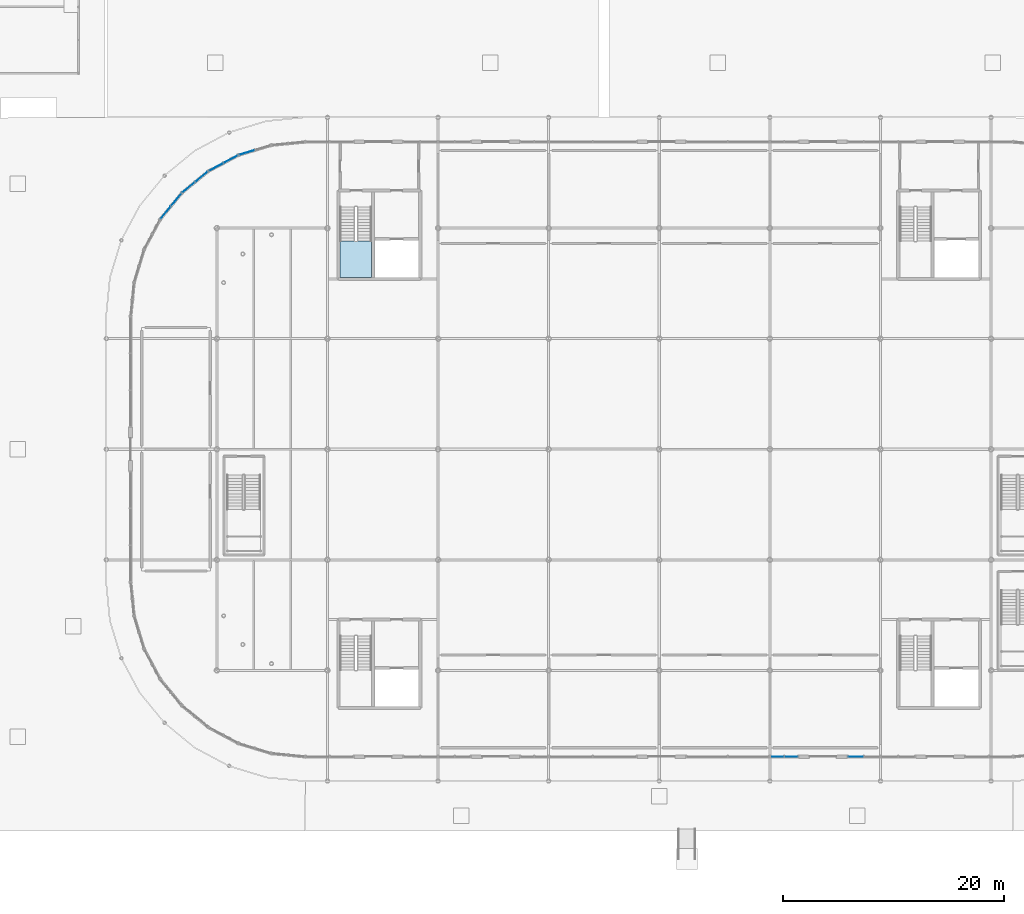
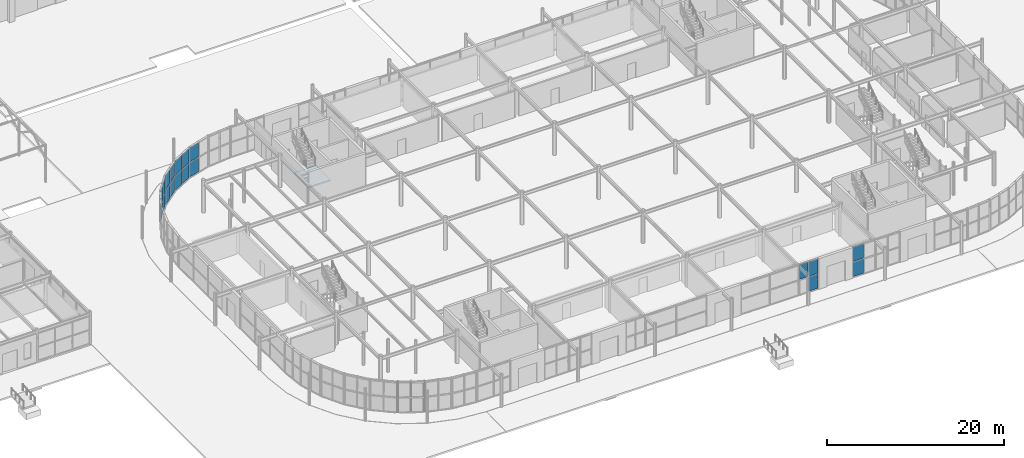
# One storey, part 75 of 119: 19 plates, 1 slab, 7 elements without a shape of their own.
"""IFC4 building model written with IfcOpenShell, lengths in metres."""

from ifc_helpers import new_model, si_unit, derived_unit, direction, frame, origin, origin_2d_with_axis, place, context, subcontext, project, spatial, polyline, rectangle, outline, extrude, material, layer, layer_set, type_object, element, aggregate, save


model = new_model("IFC4")

# Units and contexts
model_context = context("Model", 3, precision=1e-05, world=origin(), true_north=direction((0.0, 1.0)))
body_context = subcontext(model_context, "Body", "Model", "MODEL_VIEW")
ifc_project = project(units=[si_unit("LENGTHUNIT", "METRE"), si_unit("AREAUNIT", "SQUARE_METRE"), si_unit("VOLUMEUNIT", "CUBIC_METRE"), si_unit("PLANEANGLEUNIT", "RADIAN"), si_unit("MASSUNIT", "GRAM", prefix="KILO"), derived_unit("THERMALTRANSMITTANCEUNIT", [(si_unit("POWERUNIT", "WATT"), 1), (si_unit("LENGTHUNIT", "METRE"), -2), (si_unit("THERMODYNAMICTEMPERATUREUNIT", "KELVIN"), -1)])], contexts=[model_context])

# Site, building, storey
site_placement = place(None, origin())
site = spatial("IfcSite", under=ifc_project, at=site_placement, CompositionType="ELEMENT")
building_placement = place(site_placement, origin())
building = spatial("IfcBuilding", under=site, at=building_placement, Name="Cinnabar Yard Market Hall", CompositionType="ELEMENT")
storey_placement = place(building_placement, origin())
storey = spatial("IfcBuildingStorey", under=building, at=storey_placement, Name="L00", CompositionType="ELEMENT", Elevation=0.0)

# Curtain wall, plates
ifc_material_1 = material(Name="Anodised bronze aluminium and low-E glass", Category="aluminium")
curtain_wall_type_1 = type_object("IfcCurtainWallType", Name="CW-CWH026x42", PredefinedType="NOTDEFINED", material=ifc_material_1)
curtain_wall_1_placement = place(storey_placement, origin())
curtain_wall_1 = element("IfcCurtainWall", 1, at=curtain_wall_1_placement, inside=storey, type_object=curtain_wall_type_1, Name="Market Hall South Ground Glazing B5A", PredefinedType="NOTDEFINED")
ifc_material_2 = material(Name="Low-E laminated glass", Category="glass")
ifc_layer_1 = layer(ifc_material_2, 0.031982421875)
ifc_layer_set_1 = layer_set([ifc_layer_1], Name="Low-E laminated glass")
plate_type_1 = type_object("IfcPlateType", Name="CWP-GP118x200", PredefinedType="CURTAIN_PANEL", material=ifc_layer_set_1)
plate_1_placement = place(storey_placement, frame((126.669921875, 16.199951171875, 2.159912109375), z_axis=(0.0, 0.0, 1.0), x_axis=(1.0, 0.0, 0.0)))
plate_1 = element("IfcPlate", 2, at=plate_1_placement, type_object=plate_type_1, Name="CWH026x42 panel 1.2", PredefinedType="CURTAIN_PANEL", context=body_context, shape_type="SweptSolid", body=[
    extrude(rectangle(XDim=1.179931640625, YDim=0.031982421875, at=origin_2d_with_axis()), origin(), (0.0, 0.0, 1.0), 2.0),
])
plate_2_placement = place(storey_placement, frame((127.929931640625, 16.199951171875, 0.080078125), z_axis=(0.0, 0.0, 1.0), x_axis=(1.0, 0.0, 0.0)))
plate_2 = element("IfcPlate", 3, at=plate_2_placement, type_object=plate_type_1, Name="CWH026x42 panel 2.1", PredefinedType="CURTAIN_PANEL", context=body_context, shape_type="SweptSolid", body=[
    extrude(rectangle(XDim=1.179931640625, YDim=0.031982421875, at=origin_2d_with_axis()), origin(), (0.0, 0.0, 1.0), 2.0),
])
plate_3_placement = place(storey_placement, frame((127.929931640625, 16.199951171875, 2.159912109375), z_axis=(0.0, 0.0, 1.0), x_axis=(1.0, 0.0, 0.0)))
plate_3 = element("IfcPlate", 4, at=plate_3_placement, type_object=plate_type_1, Name="CWH026x42 panel 2.2", PredefinedType="CURTAIN_PANEL", context=body_context, shape_type="SweptSolid", body=[
    extrude(rectangle(XDim=1.179931640625, YDim=0.031982421875, at=origin_2d_with_axis()), origin(), (0.0, 0.0, 1.0), 2.0),
])
aggregate(curtain_wall_1, [plate_1, plate_2, plate_3])

curtain_wall_type_2 = type_object("IfcCurtainWallType", Name="CW-CWH030x42", PredefinedType="NOTDEFINED", material=ifc_material_1)
curtain_wall_2_placement = place(storey_placement, origin())
curtain_wall_2 = element("IfcCurtainWall", 5, at=curtain_wall_2_placement, inside=storey, type_object=curtain_wall_type_2, Name="Market Hall South Ground Glazing B5B", PredefinedType="NOTDEFINED")
ifc_layer_2 = layer(ifc_material_2, 0.031982421875)
ifc_layer_set_2 = layer_set([ifc_layer_2], Name="Low-E laminated glass")
plate_type_2 = type_object("IfcPlateType", Name="CWP-GP138x200", PredefinedType="CURTAIN_PANEL", material=ifc_layer_set_2)
plate_4_placement = place(storey_placement, frame((133.77001953125, 16.199951171875, 0.080078125), z_axis=(0.0, 0.0, 1.0), x_axis=(1.0, 0.0, 0.0)))
plate_4 = element("IfcPlate", 6, at=plate_4_placement, type_object=plate_type_2, Name="CWH030x42 panel 1.1", PredefinedType="CURTAIN_PANEL", context=body_context, shape_type="SweptSolid", body=[
    extrude(rectangle(XDim=1.3798828125, YDim=0.031982421875, at=origin_2d_with_axis()), origin(), (0.0, 0.0, 1.0), 2.0),
])
plate_5_placement = place(storey_placement, frame((133.77001953125, 16.199951171875, 2.159912109375), z_axis=(0.0, 0.0, 1.0), x_axis=(1.0, 0.0, 0.0)))
plate_5 = element("IfcPlate", 7, at=plate_5_placement, type_object=plate_type_2, Name="CWH030x42 panel 1.2", PredefinedType="CURTAIN_PANEL", context=body_context, shape_type="SweptSolid", body=[
    extrude(rectangle(XDim=1.3798828125, YDim=0.031982421875, at=origin_2d_with_axis()), origin(), (0.0, 0.0, 1.0), 2.0),
])
aggregate(curtain_wall_2, [plate_4, plate_5])

ifc_material_3 = material(Name="Anodised bronze aluminium curved-chord facade", Category="aluminium")
curtain_wall_type_3 = type_object("IfcCurtainWallType", Name="CW-CWC031x42", PredefinedType="NOTDEFINED", material=ifc_material_3)
curtain_wall_3_placement = place(storey_placement, origin())
curtain_wall_3 = element("IfcCurtainWall", 8, at=curtain_wall_3_placement, inside=storey, type_object=curtain_wall_type_3, Name="Corner NW Chord 2 L00", PredefinedType="NOTDEFINED")
ifc_layer_3 = layer(ifc_material_2, 0.031982421875)
ifc_layer_set_3 = layer_set([ifc_layer_3], Name="Low-E laminated glass")
plate_type_3 = type_object("IfcPlateType", Name="CWP-GP141x199", PredefinedType="CURTAIN_PANEL", material=ifc_layer_set_3)
plate_6_placement = place(storey_placement, frame((78.716064453125, 70.82861328125, 0.08984375), z_axis=(0.0, 0.0, 1.0), x_axis=(-0.956942090856, -0.290278891325, 0.0)))
plate_6 = element("IfcPlate", 9, at=plate_6_placement, type_object=plate_type_3, Name="CWC031x42 panel 2.1", PredefinedType="CURTAIN_PANEL", context=body_context, shape_type="SweptSolid", body=[
    extrude(rectangle(XDim=1.41357421875, YDim=0.031982421875, at=origin_2d_with_axis()), origin(), (0.0, 0.0, 1.0), 1.985107421875),
])
plate_7_placement = place(storey_placement, frame((78.716064453125, 70.82861328125, 2.1650390625), z_axis=(0.0, 0.0, 1.0), x_axis=(-0.956942090856, -0.290278891325, 0.0)))
plate_7 = element("IfcPlate", 10, at=plate_7_placement, type_object=plate_type_3, Name="CWC031x42 panel 2.2", PredefinedType="CURTAIN_PANEL", context=body_context, shape_type="SweptSolid", body=[
    extrude(rectangle(XDim=1.41357421875, YDim=0.031982421875, at=origin_2d_with_axis()), origin(), (0.0, 0.0, 1.0), 1.985107421875),
])
aggregate(curtain_wall_3, [plate_6, plate_7])

curtain_wall_4_placement = place(storey_placement, origin())
curtain_wall_4 = element("IfcCurtainWall", 11, at=curtain_wall_4_placement, inside=storey, type_object=curtain_wall_type_3, Name="Corner NW Chord 3 L00", PredefinedType="NOTDEFINED")
plate_8_placement = place(storey_placement, frame((77.2509765625, 70.2216796875, 0.08984375), z_axis=(0.0, 0.0, 1.0), x_axis=(-0.881917320707, -0.471404114786, 0.0)))
plate_8 = element("IfcPlate", 12, at=plate_8_placement, type_object=plate_type_3, Name="CWC031x42 panel 1.1", PredefinedType="CURTAIN_PANEL", context=body_context, shape_type="SweptSolid", body=[
    extrude(rectangle(XDim=1.41357421875, YDim=0.031982421875, at=origin_2d_with_axis()), origin(), (0.0, 0.0, 1.0), 1.985107421875),
])
plate_9_placement = place(storey_placement, frame((77.2509765625, 70.2216796875, 2.1650390625), z_axis=(0.0, 0.0, 1.0), x_axis=(-0.881917320707, -0.471404114786, 0.0)))
plate_9 = element("IfcPlate", 13, at=plate_9_placement, type_object=plate_type_3, Name="CWC031x42 panel 1.2", PredefinedType="CURTAIN_PANEL", context=body_context, shape_type="SweptSolid", body=[
    extrude(rectangle(XDim=1.41357421875, YDim=0.031982421875, at=origin_2d_with_axis()), origin(), (0.0, 0.0, 1.0), 1.985107421875),
])
plate_10_placement = place(storey_placement, frame((75.9248046875, 69.512939453125, 0.08984375), z_axis=(0.0, 0.0, 1.0), x_axis=(-0.881917320707, -0.471404114786, 0.0)))
plate_10 = element("IfcPlate", 14, at=plate_10_placement, type_object=plate_type_3, Name="CWC031x42 panel 2.1", PredefinedType="CURTAIN_PANEL", context=body_context, shape_type="SweptSolid", body=[
    extrude(rectangle(XDim=1.41357421875, YDim=0.031982421875, at=origin_2d_with_axis()), origin(), (0.0, 0.0, 1.0), 1.985107421875),
])
plate_11_placement = place(storey_placement, frame((75.9248046875, 69.512939453125, 2.1650390625), z_axis=(0.0, 0.0, 1.0), x_axis=(-0.881917320707, -0.471404114786, 0.0)))
plate_11 = element("IfcPlate", 15, at=plate_11_placement, type_object=plate_type_3, Name="CWC031x42 panel 2.2", PredefinedType="CURTAIN_PANEL", context=body_context, shape_type="SweptSolid", body=[
    extrude(rectangle(XDim=1.41357421875, YDim=0.031982421875, at=origin_2d_with_axis()), origin(), (0.0, 0.0, 1.0), 1.985107421875),
])
aggregate(curtain_wall_4, [plate_8, plate_9, plate_10, plate_11])

curtain_wall_5_placement = place(storey_placement, origin())
curtain_wall_5 = element("IfcCurtainWall", 16, at=curtain_wall_5_placement, inside=storey, type_object=curtain_wall_type_3, Name="Corner NW Chord 4 L00", PredefinedType="NOTDEFINED")
plate_12_placement = place(storey_placement, frame((74.60595703125, 68.631591796875, 0.08984375), z_axis=(0.0, 0.0, 1.0), x_axis=(-0.773018564222, -0.634383400924, 0.0)))
plate_12 = element("IfcPlate", 17, at=plate_12_placement, type_object=plate_type_3, Name="CWC031x42 panel 1.1", PredefinedType="CURTAIN_PANEL", context=body_context, shape_type="SweptSolid", body=[
    extrude(rectangle(XDim=1.41357421875, YDim=0.031982421875, at=origin_2d_with_axis()), origin(), (0.0, 0.0, 1.0), 1.985107421875),
])
plate_13_placement = place(storey_placement, frame((74.60595703125, 68.631591796875, 2.1650390625), z_axis=(0.0, 0.0, 1.0), x_axis=(-0.773018564222, -0.634383400924, 0.0)))
plate_13 = element("IfcPlate", 18, at=plate_13_placement, type_object=plate_type_3, Name="CWC031x42 panel 1.2", PredefinedType="CURTAIN_PANEL", context=body_context, shape_type="SweptSolid", body=[
    extrude(rectangle(XDim=1.41357421875, YDim=0.031982421875, at=origin_2d_with_axis()), origin(), (0.0, 0.0, 1.0), 1.985107421875),
])
plate_14_placement = place(storey_placement, frame((73.443603515625, 67.677734375, 0.08984375), z_axis=(0.0, 0.0, 1.0), x_axis=(-0.773018564222, -0.634383400924, 0.0)))
plate_14 = element("IfcPlate", 19, at=plate_14_placement, type_object=plate_type_3, Name="CWC031x42 panel 2.1", PredefinedType="CURTAIN_PANEL", context=body_context, shape_type="SweptSolid", body=[
    extrude(rectangle(XDim=1.41357421875, YDim=0.031982421875, at=origin_2d_with_axis()), origin(), (0.0, 0.0, 1.0), 1.985107421875),
])
plate_15_placement = place(storey_placement, frame((73.443603515625, 67.677734375, 2.1650390625), z_axis=(0.0, 0.0, 1.0), x_axis=(-0.773018564222, -0.634383400924, 0.0)))
plate_15 = element("IfcPlate", 20, at=plate_15_placement, type_object=plate_type_3, Name="CWC031x42 panel 2.2", PredefinedType="CURTAIN_PANEL", context=body_context, shape_type="SweptSolid", body=[
    extrude(rectangle(XDim=1.41357421875, YDim=0.031982421875, at=origin_2d_with_axis()), origin(), (0.0, 0.0, 1.0), 1.985107421875),
])
aggregate(curtain_wall_5, [plate_12, plate_13, plate_14, plate_15])

curtain_wall_6_placement = place(storey_placement, origin())
curtain_wall_6 = element("IfcCurtainWall", 21, at=curtain_wall_6_placement, inside=storey, type_object=curtain_wall_type_3, Name="Corner NW Chord 5 L00", PredefinedType="NOTDEFINED")
plate_16_placement = place(storey_placement, frame((72.322265625, 66.556396484375, 0.08984375), z_axis=(0.0, 0.0, 1.0), x_axis=(-0.634383400924, -0.773018564222, 0.0)))
plate_16 = element("IfcPlate", 22, at=plate_16_placement, type_object=plate_type_3, Name="CWC031x42 panel 1.1", PredefinedType="CURTAIN_PANEL", context=body_context, shape_type="SweptSolid", body=[
    extrude(rectangle(XDim=1.41357421875, YDim=0.031982421875, at=origin_2d_with_axis()), origin(), (0.0, 0.0, 1.0), 1.985107421875),
])
plate_17_placement = place(storey_placement, frame((72.322265625, 66.556396484375, 2.1650390625), z_axis=(0.0, 0.0, 1.0), x_axis=(-0.634383400924, -0.773018564222, 0.0)))
plate_17 = element("IfcPlate", 23, at=plate_17_placement, type_object=plate_type_3, Name="CWC031x42 panel 1.2", PredefinedType="CURTAIN_PANEL", context=body_context, shape_type="SweptSolid", body=[
    extrude(rectangle(XDim=1.41357421875, YDim=0.031982421875, at=origin_2d_with_axis()), origin(), (0.0, 0.0, 1.0), 1.985107421875),
])
plate_18_placement = place(storey_placement, frame((71.368408203125, 65.39404296875, 0.08984375), z_axis=(0.0, 0.0, 1.0), x_axis=(-0.634383400924, -0.773018564222, 0.0)))
plate_18 = element("IfcPlate", 24, at=plate_18_placement, type_object=plate_type_3, Name="CWC031x42 panel 2.1", PredefinedType="CURTAIN_PANEL", context=body_context, shape_type="SweptSolid", body=[
    extrude(rectangle(XDim=1.41357421875, YDim=0.031982421875, at=origin_2d_with_axis()), origin(), (0.0, 0.0, 1.0), 1.985107421875),
])
plate_19_placement = place(storey_placement, frame((71.368408203125, 65.39404296875, 2.1650390625), z_axis=(0.0, 0.0, 1.0), x_axis=(-0.634383400924, -0.773018564222, 0.0)))
plate_19 = element("IfcPlate", 25, at=plate_19_placement, type_object=plate_type_3, Name="CWC031x42 panel 2.2", PredefinedType="CURTAIN_PANEL", context=body_context, shape_type="SweptSolid", body=[
    extrude(rectangle(XDim=1.41357421875, YDim=0.031982421875, at=origin_2d_with_axis()), origin(), (0.0, 0.0, 1.0), 1.985107421875),
])
aggregate(curtain_wall_6, [plate_16, plate_17, plate_18, plate_19])

# Stair, slab
ifc_material_4 = material(Name="Concrete 40 MPa", Category="concrete")
stair_type = type_object("IfcStairType", Name="ST-CORE", PredefinedType="HALF_TURN_STAIR", material=ifc_material_4)
stair_placement = place(storey_placement, origin())
stair = element("IfcStair", 26, at=stair_placement, inside=storey, type_object=stair_type, Name="L00 Market Hall North-West Core Stair", PredefinedType="HALF_TURN_STAIR")
ifc_layer_4 = layer(ifc_material_4, 0.199951171875)
ifc_layer_set_4 = layer_set([ifc_layer_4], Name="Concrete 40 MPa")
slab_type = type_object("IfcSlabType", Name="SL-LAND", PredefinedType="LANDING", material=ifc_layer_set_4)
slab_placement = place(storey_placement, frame((0.0, 0.0, 2.050048828125)))
slab = element("IfcSlab", 27, at=slab_placement, type_object=slab_type, Name="ST-C3 landing 1", PredefinedType="LANDING", context=body_context, shape_type="SweptSolid", body=[
    extrude(outline(polyline([(87.139892578125, 62.830078125), (87.139892578125, 59.5400390625), (90.0, 59.5400390625), (90.0, 62.830078125), (87.139892578125, 62.830078125)])), origin(), (0.0, 0.0, 1.0), 0.199951171875),
])
aggregate(stair, [slab])

save(model, "model.ifc")
